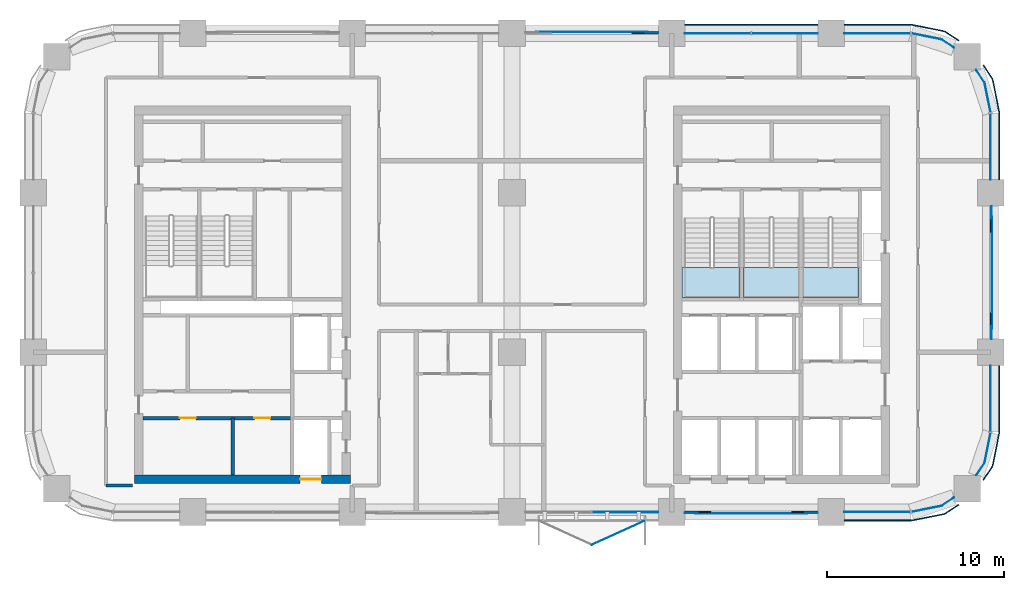
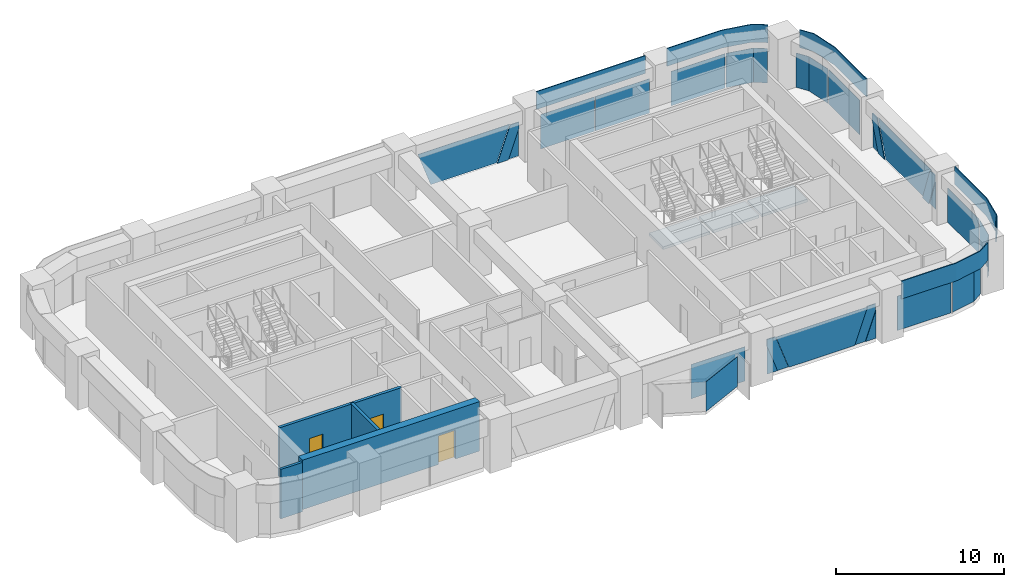
# One storey, part 8 of 14: 30 plates, 4 walls, 3 doors, 3 slabs, 3 openings, 12 elements without a shape of their own.
"""IFC4 building model written with IfcOpenShell, lengths in metres."""

from ifc_helpers import new_model, si_unit, direction, frame, frame_2d, origin, origin_2d, place, context, subcontext, project, spatial, polyline, rectangle, outline, extrude, material, layer, layer_set, type_object, element, fill, aggregate, save


model = new_model("IFC4")

# Units and contexts
model_context = context("Model", 3, precision=1e-05, world=origin(), true_north=direction((0.0, 1.0)))
body_context = subcontext(model_context, "Body", "Model", "MODEL_VIEW")
ifc_project = project(units=[si_unit("LENGTHUNIT", "METRE"), si_unit("AREAUNIT", "SQUARE_METRE"), si_unit("VOLUMEUNIT", "CUBIC_METRE"), si_unit("PLANEANGLEUNIT", "RADIAN"), si_unit("MASSUNIT", "GRAM", prefix="KILO")], contexts=[model_context])

# Site, building, storey
site_placement = place(None, origin())
site = spatial("IfcSite", under=ifc_project, at=site_placement, CompositionType="ELEMENT")
building_placement = place(site_placement, origin())
building = spatial("IfcBuilding", under=site, at=building_placement, Name="Tessera Arch", CompositionType="ELEMENT")
storey_placement = place(building_placement, frame((0.0, 0.0, 146.60009765625)))
storey = spatial("IfcBuildingStorey", under=building, at=storey_placement, Name="L34", CompositionType="ELEMENT", Elevation=146.60009765625)

# Curtain wall, plates
ifc_material_1 = material(Name="CW1 curtain wall")
curtain_wall_type_1 = type_object("IfcCurtainWallType", Name="CW1 curtain wall", PredefinedType="NOTDEFINED", material=ifc_material_1)
curtain_wall_1_placement = place(storey_placement, origin())
curtain_wall_1 = element("IfcCurtainWall", 1, at=curtain_wall_1_placement, inside=storey, type_object=curtain_wall_type_1, Name="CW1 curtain wall N54.0/1 L34", PredefinedType="NOTDEFINED")
ifc_material_2 = material(Name="Clear low-e glass", Category="glass")
ifc_material_3 = material(Name="Clear low-e glass", Category="glass")
ifc_layer_1 = layer(ifc_material_3, 0.028076171875)
ifc_layer_set_1 = layer_set([ifc_layer_1], Name="CW1 glass panel")
plate_type_1 = type_object("IfcPlateType", Name="CW1 glass panel", PredefinedType="CURTAIN_PANEL", material=ifc_layer_set_1)
plate_1_placement = place(storey_placement, frame((42.389892578125, 54.0, 0.0), z_axis=(0.0, 0.0, 1.0), x_axis=(-1.0, 0.0, 0.0)))
plate_1 = element("IfcPlate", 2, at=plate_1_placement, type_object=plate_type_1, material=ifc_material_2, Name="CW1 glass panel N54.0/1 1.1.1", PredefinedType="CURTAIN_PANEL", context=body_context, shape_type="SweptSolid", body=[
    extrude(rectangle(XDim=3.719970703125, YDim=0.028076171875, at=origin_2d()), origin(), (0.0, 0.0, 1.0), 2.5),
])
plate_2_placement = place(storey_placement, frame((38.610107421875, 54.0, 0.0), z_axis=(0.0, 0.0, 1.0), x_axis=(-1.0, 0.0, 0.0)))
plate_2 = element("IfcPlate", 3, at=plate_2_placement, type_object=plate_type_1, material=ifc_material_2, Name="CW1 glass panel N54.0/1 1.2.1", PredefinedType="CURTAIN_PANEL", context=body_context, shape_type="SweptSolid", body=[
    extrude(rectangle(XDim=3.719970703125, YDim=0.028076171875, at=origin_2d()), origin(), (0.0, 0.0, 1.0), 2.5),
])

# Curtain wall, plate
curtain_wall_2_placement = place(storey_placement, origin())
curtain_wall_2 = element("IfcCurtainWall", 4, at=curtain_wall_2_placement, inside=storey, type_object=curtain_wall_type_1, Name="CW1 curtain wall S27.0/3 L34", PredefinedType="NOTDEFINED")
plate_3_placement = place(storey_placement, frame((33.389892578125, 27.0, 0.0), z_axis=(0.0, 0.0, 1.0), x_axis=(1.0, 0.0, 0.0)))
plate_3 = element("IfcPlate", 5, at=plate_3_placement, type_object=plate_type_1, material=ifc_material_2, Name="CW1 glass panel S27.0/3 1.2.1", PredefinedType="CURTAIN_PANEL", context=body_context, shape_type="SweptSolid", body=[
    extrude(rectangle(XDim=3.719970703125, YDim=0.028076171875, at=origin_2d()), origin(), (0.0, 0.0, 1.0), 2.5),
])
aggregate(curtain_wall_2, [plate_3])

# Plate
ifc_material_4 = material(Name="Pale anodised aluminium panel", Category="aluminium")
ifc_layer_2 = layer(ifc_material_4, 0.06005859375)
ifc_layer_set_2 = layer_set([ifc_layer_2], Name="CW1 spandrel panel")
plate_type_2 = type_object("IfcPlateType", Name="CW1 spandrel panel", PredefinedType="CURTAIN_PANEL", material=ifc_layer_set_2)
plate_4_placement = place(storey_placement, frame((40.5, 54.47998046875, 2.60009765625), z_axis=(0.0, 0.0, 1.0), x_axis=(-1.0, 0.0, 0.0)))
plate_4 = element("IfcPlate", 6, at=plate_4_placement, type_object=plate_type_2, Name="CW1 spandrel panel N54.0/1", PredefinedType="CURTAIN_PANEL", context=body_context, shape_type="SweptSolid", body=[
    extrude(rectangle(XDim=7.5, YDim=0.06005859375, at=origin_2d()), origin(), (0.0, 0.0, 1.0), 1.300048828125),
])

aggregate(curtain_wall_1, [plate_1, plate_2, plate_4])

# Curtain wall, plates
ifc_material_5 = material(Name="CW2 curtain wall")
curtain_wall_type_2 = type_object("IfcCurtainWallType", Name="CW2 curtain wall", PredefinedType="NOTDEFINED", material=ifc_material_5)
curtain_wall_3_placement = place(storey_placement, origin())
curtain_wall_3 = element("IfcCurtainWall", 7, at=curtain_wall_3_placement, inside=storey, type_object=curtain_wall_type_2, Name="CW2 curtain wall E54.27/1 L34", PredefinedType="NOTDEFINED")
ifc_material_6 = material(Name="Clear low-e glass", Category="glass")
ifc_layer_3 = layer(ifc_material_6, 0.028076171875)
ifc_layer_set_3 = layer_set([ifc_layer_3], Name="CW2 glass panel")
plate_type_3 = type_object("IfcPlateType", Name="CW2 glass panel", PredefinedType="CURTAIN_PANEL", material=ifc_layer_set_3)
plate_5_placement = place(storey_placement, frame((54.0, 47.60498046875, 0.0), z_axis=(0.0, 0.0, 1.0), x_axis=(0.0, 1.0, 0.0)))
plate_5 = element("IfcPlate", 8, at=plate_5_placement, type_object=plate_type_3, material=ifc_material_2, Name="CW2 glass panel E54.27/1 1.1", PredefinedType="CURTAIN_PANEL", context=body_context, shape_type="SweptSolid", body=[
    extrude(rectangle(XDim=3.7099609375, YDim=0.028076171875, at=origin_2d()), origin(), (0.0, 0.0, 1.0), 2.5),
])
plate_6_placement = place(storey_placement, origin())
plate_6 = element("IfcPlate", 9, at=plate_6_placement, type_object=plate_type_3, material=ifc_material_2, Name="CW2 curved glass panel E54.27/1 2.1", PredefinedType="CURTAIN_PANEL", context=body_context, shape_type="SweptSolid", body=[
    extrude(outline(polyline([(53.644287109375, 51.216552734375), (53.978515625, 49.53662109375), (54.005859375, 49.5419921875), (53.670654296875, 51.2275390625), (53.19482421875, 51.939697265625), (53.17138671875, 51.92431640625), (53.644287109375, 51.216552734375)])), origin(), (0.0, 0.0, 1.0), 2.5),
])

curtain_wall_4_placement = place(storey_placement, origin())
curtain_wall_4 = element("IfcCurtainWall", 10, at=curtain_wall_4_placement, inside=storey, type_object=curtain_wall_type_2, Name="CW2 curtain wall N54.0/0 L34", PredefinedType="NOTDEFINED")
plate_7_placement = place(storey_placement, frame((47.60498046875, 54.0, 0.0), z_axis=(0.0, 0.0, 1.0), x_axis=(-1.0, 0.0, 0.0)))
plate_7 = element("IfcPlate", 11, at=plate_7_placement, type_object=plate_type_3, material=ifc_material_2, Name="CW2 glass panel N54.0/0 1.1", PredefinedType="CURTAIN_PANEL", context=body_context, shape_type="SweptSolid", body=[
    extrude(rectangle(XDim=3.7099609375, YDim=0.028076171875, at=origin_2d()), origin(), (0.0, 0.0, 1.0), 2.5),
])
plate_8_placement = place(storey_placement, origin())
plate_8 = element("IfcPlate", 12, at=plate_8_placement, type_object=plate_type_3, material=ifc_material_2, Name="CW2 curved glass panel N54.0/0 2.1", PredefinedType="CURTAIN_PANEL", context=body_context, shape_type="SweptSolid", body=[
    extrude(outline(polyline([(51.216552734375, 53.644287109375), (51.92431640625, 53.17138671875), (51.939697265625, 53.19482421875), (51.2275390625, 53.670654296875), (49.5419921875, 54.005859375), (49.53662109375, 53.978515625), (51.216552734375, 53.644287109375)])), origin(), (0.0, 0.0, 1.0), 2.5),
])

curtain_wall_5_placement = place(storey_placement, origin())
curtain_wall_5 = element("IfcCurtainWall", 13, at=curtain_wall_5_placement, inside=storey, type_object=curtain_wall_type_2, Name="CW2 curtain wall S27.0/5 L34", PredefinedType="NOTDEFINED")
plate_9_placement = place(storey_placement, frame((47.60498046875, 27.0, 0.0), z_axis=(0.0, 0.0, 1.0), x_axis=(1.0, 0.0, 0.0)))
plate_9 = element("IfcPlate", 14, at=plate_9_placement, type_object=plate_type_3, material=ifc_material_2, Name="CW2 glass panel S27.0/5 1.1", PredefinedType="CURTAIN_PANEL", context=body_context, shape_type="SweptSolid", body=[
    extrude(rectangle(XDim=3.7099609375, YDim=0.028076171875, at=origin_2d()), origin(), (0.0, 0.0, 1.0), 2.5),
])
plate_10_placement = place(storey_placement, origin())
plate_10 = element("IfcPlate", 15, at=plate_10_placement, type_object=plate_type_3, material=ifc_material_2, Name="CW2 curved glass panel S27.0/5 2.1", PredefinedType="CURTAIN_PANEL", context=body_context, shape_type="SweptSolid", body=[
    extrude(outline(polyline([(51.216552734375, 27.355712890625), (49.53662109375, 27.021484375), (49.5419921875, 26.994140625), (51.2275390625, 27.329345703125), (51.939697265625, 27.80517578125), (51.92431640625, 27.82861328125), (51.216552734375, 27.355712890625)])), origin(), (0.0, 0.0, 1.0), 2.5),
])

curtain_wall_6_placement = place(storey_placement, origin())
curtain_wall_6 = element("IfcCurtainWall", 16, at=curtain_wall_6_placement, inside=storey, type_object=curtain_wall_type_2, Name="CW2 curtain wall E54.27/2 L34", PredefinedType="NOTDEFINED")
plate_11_placement = place(storey_placement, frame((54.0, 33.39501953125, 0.0), z_axis=(0.0, 0.0, 1.0), x_axis=(0.0, 1.0, 0.0)))
plate_11 = element("IfcPlate", 17, at=plate_11_placement, type_object=plate_type_3, material=ifc_material_2, Name="CW2 glass panel E54.27/2 1.1", PredefinedType="CURTAIN_PANEL", context=body_context, shape_type="SweptSolid", body=[
    extrude(rectangle(XDim=3.7099609375, YDim=0.028076171875, at=origin_2d()), origin(), (0.0, 0.0, 1.0), 2.5),
])
plate_12_placement = place(storey_placement, origin())
plate_12 = element("IfcPlate", 18, at=plate_12_placement, type_object=plate_type_3, material=ifc_material_2, Name="CW2 curved glass panel E54.27/2 2.1", PredefinedType="CURTAIN_PANEL", context=body_context, shape_type="SweptSolid", body=[
    extrude(outline(polyline([(53.644287109375, 29.783447265625), (53.17138671875, 29.07568359375), (53.19482421875, 29.060302734375), (53.670654296875, 29.7724609375), (54.005859375, 31.4580078125), (53.978515625, 31.46337890625), (53.644287109375, 29.783447265625)])), origin(), (0.0, 0.0, 1.0), 2.5),
])

# Plate
ifc_material_7 = material(Name="Pale anodised aluminium panel", Category="aluminium")
ifc_layer_4 = layer(ifc_material_7, 0.06005859375)
ifc_layer_set_4 = layer_set([ifc_layer_4], Name="CW2 spandrel panel")
plate_type_4 = type_object("IfcPlateType", Name="CW2 spandrel panel", PredefinedType="CURTAIN_PANEL", material=ifc_layer_set_4)
plate_13_placement = place(storey_placement, frame((0.0, 0.0, 2.599853515625)))
plate_13 = element("IfcPlate", 19, at=plate_13_placement, type_object=plate_type_4, Name="CW2 spandrel panel E54.27/1", PredefinedType="CURTAIN_PANEL", context=body_context, shape_type="SweptSolid", body=[
    extrude(outline(polyline([(54.449951171875, 49.499267578125), (54.449951171875, 45.75), (54.510009765625, 45.75), (54.510009765625, 49.500732421875), (54.507568359375, 49.550048828125), (54.500244140625, 49.598876953125), (54.157470703125, 51.322265625), (54.1455078125, 51.3701171875), (54.128662109375, 51.417236328125), (54.107421875, 51.462646484375), (54.08203125, 51.5048828125), (53.607177734375, 52.21533203125), (53.55712890625, 52.18212890625), (54.03125, 51.47265625), (54.054443359375, 51.434326171875), (54.0732421875, 51.394287109375), (54.088134765625, 51.352783203125), (54.09912109375, 51.30908203125), (54.441162109375, 49.588623046875), (54.44775390625, 49.544189453125), (54.449951171875, 49.499267578125)])), origin(), (0.0, 0.0, 1.0), 1.300048828125),
])

aggregate(curtain_wall_3, [plate_5, plate_6, plate_13])

plate_14_placement = place(storey_placement, frame((0.0, 0.0, 2.599853515625)))
plate_14 = element("IfcPlate", 20, at=plate_14_placement, type_object=plate_type_4, Name="CW2 spandrel panel N54.0/0", PredefinedType="CURTAIN_PANEL", context=body_context, shape_type="SweptSolid", body=[
    extrude(outline(polyline([(51.47265625, 54.03125), (52.18212890625, 53.55712890625), (52.21533203125, 53.607177734375), (51.5048828125, 54.08203125), (51.462646484375, 54.107421875), (51.417236328125, 54.128662109375), (51.3701171875, 54.1455078125), (51.322265625, 54.157470703125), (49.598876953125, 54.500244140625), (49.550048828125, 54.507568359375), (49.500732421875, 54.510009765625), (45.75, 54.510009765625), (45.75, 54.449951171875), (49.499267578125, 54.449951171875), (49.544189453125, 54.44775390625), (49.588623046875, 54.441162109375), (51.30908203125, 54.09912109375), (51.352783203125, 54.088134765625), (51.394287109375, 54.0732421875), (51.434326171875, 54.054443359375), (51.47265625, 54.03125)])), origin(), (0.0, 0.0, 1.0), 1.300048828125),
])

aggregate(curtain_wall_4, [plate_7, plate_8, plate_14])

plate_15_placement = place(storey_placement, frame((0.0, 0.0, 2.599853515625)))
plate_15 = element("IfcPlate", 21, at=plate_15_placement, type_object=plate_type_4, Name="CW2 spandrel panel S27.0/5", PredefinedType="CURTAIN_PANEL", context=body_context, shape_type="SweptSolid", body=[
    extrude(outline(polyline([(49.499267578125, 26.550048828125), (45.75, 26.550048828125), (45.75, 26.489990234375), (49.500732421875, 26.489990234375), (49.550048828125, 26.492431640625), (49.598876953125, 26.499755859375), (51.322265625, 26.842529296875), (51.3701171875, 26.8544921875), (51.417236328125, 26.871337890625), (51.462646484375, 26.892578125), (51.5048828125, 26.91796875), (52.21533203125, 27.392822265625), (52.18212890625, 27.44287109375), (51.47265625, 26.96875), (51.434326171875, 26.945556640625), (51.394287109375, 26.9267578125), (51.352783203125, 26.911865234375), (51.30908203125, 26.90087890625), (49.588623046875, 26.558837890625), (49.544189453125, 26.55224609375), (49.499267578125, 26.550048828125)])), origin(), (0.0, 0.0, 1.0), 1.300048828125),
])

aggregate(curtain_wall_5, [plate_9, plate_10, plate_15])

plate_16_placement = place(storey_placement, frame((0.0, 0.0, 2.599853515625)))
plate_16 = element("IfcPlate", 22, at=plate_16_placement, type_object=plate_type_4, Name="CW2 spandrel panel E54.27/2", PredefinedType="CURTAIN_PANEL", context=body_context, shape_type="SweptSolid", body=[
    extrude(outline(polyline([(54.03125, 29.52734375), (53.55712890625, 28.81787109375), (53.607177734375, 28.78466796875), (54.08203125, 29.4951171875), (54.107421875, 29.537353515625), (54.128662109375, 29.582763671875), (54.1455078125, 29.6298828125), (54.157470703125, 29.677734375), (54.500244140625, 31.401123046875), (54.507568359375, 31.449951171875), (54.510009765625, 31.499267578125), (54.510009765625, 35.25), (54.449951171875, 35.25), (54.449951171875, 31.500732421875), (54.44775390625, 31.455810546875), (54.441162109375, 31.411376953125), (54.09912109375, 29.69091796875), (54.088134765625, 29.647216796875), (54.0732421875, 29.605712890625), (54.054443359375, 29.565673828125), (54.03125, 29.52734375)])), origin(), (0.0, 0.0, 1.0), 1.300048828125),
])

aggregate(curtain_wall_6, [plate_11, plate_12, plate_16])

# Curtain wall, plates
ifc_material_8 = material(Name="CW3 curtain wall")
curtain_wall_type_3 = type_object("IfcCurtainWallType", Name="CW3 curtain wall", PredefinedType="NOTDEFINED", material=ifc_material_8)
curtain_wall_7_placement = place(storey_placement, origin())
curtain_wall_7 = element("IfcCurtainWall", 23, at=curtain_wall_7_placement, inside=storey, type_object=curtain_wall_type_3, Name="CW3 curtain wall E54.27/0 L34", PredefinedType="NOTDEFINED")
ifc_material_9 = material(Name="Pale anodised aluminium panel", Category="aluminium")
ifc_layer_5 = layer(ifc_material_9, 0.06005859375)
ifc_layer_set_5 = layer_set([ifc_layer_5], Name="CW3 diagonal panel")
plate_type_5 = type_object("IfcPlateType", Name="CW3 diagonal panel", PredefinedType="CURTAIN_PANEL", material=ifc_layer_set_5)
plate_17_placement = place(storey_placement, frame((54.030029296875, 44.25, 2.5), z_axis=(1.0, 0.0, 0.0), x_axis=(0.0, -1.0, 0.0)))
plate_17 = element("IfcPlate", 24, at=plate_17_placement, type_object=plate_type_5, Name="CW3 diagonal panel E54.27/0 1", PredefinedType="CURTAIN_PANEL", context=body_context, shape_type="SweptSolid", body=[
    extrude(outline(polyline([(0.0, 0.0), (0.595947265625, 0.0), (1.484619140625, 2.5), (0.718994140625, 2.5), (0.0, 0.47705078125), (0.0, 0.0)])), origin(), (0.0, 0.0, -1.0), 0.06005859375),
])
plate_18_placement = place(storey_placement, frame((54.030029296875, 36.75, 2.5), z_axis=(1.0, 0.0, 0.0), x_axis=(0.0, 0.0, -1.0)))
plate_18 = element("IfcPlate", 25, at=plate_18_placement, type_object=plate_type_5, Name="CW3 diagonal panel E54.27/0 2", PredefinedType="CURTAIN_PANEL", context=body_context, shape_type="SweptSolid", body=[
    extrude(outline(polyline([(0.0, 0.0), (0.47705078125, 0.0), (2.5, 0.718994140625), (2.5, 1.484619140625), (0.0, 0.595947265625), (0.0, 0.0)])), origin(), (0.0, 0.0, -1.0), 0.06005859375),
])

# Curtain wall, plate
curtain_wall_8_placement = place(storey_placement, origin())
curtain_wall_8 = element("IfcCurtainWall", 26, at=curtain_wall_8_placement, inside=storey, type_object=curtain_wall_type_3, Name="CW3 curtain wall N54.0/2 L34", PredefinedType="NOTDEFINED")
plate_19_placement = place(storey_placement, frame((35.25, 54.030029296875, 2.5), z_axis=(0.0, 1.0, 0.0), x_axis=(0.0, 0.0, -1.0)))
plate_19 = element("IfcPlate", 27, at=plate_19_placement, type_object=plate_type_5, Name="CW3 diagonal panel N54.0/2 2", PredefinedType="CURTAIN_PANEL", context=body_context, shape_type="SweptSolid", body=[
    extrude(outline(polyline([(0.0, 0.0), (0.47705078125, 0.0), (2.5, 0.718994140625), (2.5, 1.484619140625), (0.0, 0.595947265625), (0.0, 0.0)])), origin(), (0.0, 0.0, -1.0), 0.06005859375),
])

# Curtain wall, plates
curtain_wall_9_placement = place(storey_placement, origin())
curtain_wall_9 = element("IfcCurtainWall", 28, at=curtain_wall_9_placement, inside=storey, type_object=curtain_wall_type_3, Name="CW3 curtain wall S27.0/4 L34", PredefinedType="NOTDEFINED")
plate_20_placement = place(storey_placement, frame((44.25, 26.969970703125, 2.5), z_axis=(0.0, -1.0, 0.0), x_axis=(-1.0, 0.0, 0.0)))
plate_20 = element("IfcPlate", 29, at=plate_20_placement, type_object=plate_type_5, Name="CW3 diagonal panel S27.0/4 1", PredefinedType="CURTAIN_PANEL", context=body_context, shape_type="SweptSolid", body=[
    extrude(outline(polyline([(0.0, 0.0), (0.595947265625, 0.0), (1.484619140625, 2.5), (0.718994140625, 2.5), (0.0, 0.47705078125), (0.0, 0.0)])), origin(), (0.0, 0.0, -1.0), 0.06005859375),
])
plate_21_placement = place(storey_placement, frame((36.75, 26.969970703125, 2.5), z_axis=(0.0, -1.0, 0.0), x_axis=(0.0, 0.0, -1.0)))
plate_21 = element("IfcPlate", 30, at=plate_21_placement, type_object=plate_type_5, Name="CW3 diagonal panel S27.0/4 2", PredefinedType="CURTAIN_PANEL", context=body_context, shape_type="SweptSolid", body=[
    extrude(outline(polyline([(0.0, 0.0), (0.47705078125, 0.0), (2.5, 0.718994140625), (2.5, 1.484619140625), (0.0, 0.595947265625), (0.0, 0.0)])), origin(), (0.0, 0.0, -1.0), 0.06005859375),
])

# Plate
ifc_material_10 = material(Name="Clear low-e glass", Category="glass")
ifc_layer_6 = layer(ifc_material_10, 0.028076171875)
ifc_layer_set_6 = layer_set([ifc_layer_6], Name="CW3 glass panel")
plate_type_6 = type_object("IfcPlateType", Name="CW3 glass panel", PredefinedType="CURTAIN_PANEL", material=ifc_layer_set_6)
plate_22_placement = place(storey_placement, frame((54.05810546875, 36.75, 0.0), z_axis=(1.0, 0.0, 0.0), x_axis=(0.0, 1.0, 0.0)))
plate_22 = element("IfcPlate", 31, at=plate_22_placement, type_object=plate_type_6, material=ifc_material_2, Name="CW3 triangulated glass panel E54.27/0 1", PredefinedType="CURTAIN_PANEL", context=body_context, shape_type="SweptSolid", body=[
    extrude(outline(polyline([(0.0, 0.0), (0.718994140625, 0.0), (0.0, 2.02294921875), (0.0, 0.0)])), origin(), (0.0, 0.0, -1.0), 0.028076171875),
])

plate_23_placement = place(storey_placement, frame((54.0859375, 43.654052734375, 2.5), z_axis=(1.0, 0.0, 0.0), x_axis=(0.0, -1.0, 0.0)))
plate_23 = element("IfcPlate", 32, at=plate_23_placement, type_object=plate_type_6, material=ifc_material_2, Name="CW3 triangulated glass panel E54.27/0 2", PredefinedType="CURTAIN_PANEL", context=body_context, shape_type="SweptSolid", body=[
    extrude(outline(polyline([(0.0, 0.0), (6.30810546875, 0.0), (5.41943359375, 2.5), (0.888671875, 2.5), (0.0, 0.0)])), origin(), (0.0, 0.0, -1.0), 0.028076171875),
])

plate_24_placement = place(storey_placement, frame((54.05810546875, 44.25, 0.0), z_axis=(1.0, 0.0, 0.0), x_axis=(0.0, 0.0, 1.0)))
plate_24 = element("IfcPlate", 33, at=plate_24_placement, type_object=plate_type_6, material=ifc_material_2, Name="CW3 triangulated glass panel E54.27/0 3", PredefinedType="CURTAIN_PANEL", context=body_context, shape_type="SweptSolid", body=[
    extrude(outline(polyline([(0.0, 0.0), (2.02294921875, 0.0), (0.0, 0.718994140625), (0.0, 0.0)])), origin(), (0.0, 0.0, -1.0), 0.028076171875),
])

aggregate(curtain_wall_7, [plate_22, plate_23, plate_24, plate_17, plate_18])

plate_25_placement = place(storey_placement, frame((35.25, 54.05810546875, 0.0), z_axis=(0.0, 1.0, 0.0), x_axis=(-1.0, 0.0, 0.0)))
plate_25 = element("IfcPlate", 34, at=plate_25_placement, type_object=plate_type_6, material=ifc_material_2, Name="CW3 triangulated glass panel N54.0/2 1", PredefinedType="CURTAIN_PANEL", context=body_context, shape_type="SweptSolid", body=[
    extrude(outline(polyline([(0.0, 0.0), (0.718994140625, 0.0), (0.0, 2.02294921875), (0.0, 0.0)])), origin(), (0.0, 0.0, -1.0), 0.028076171875),
])

plate_26_placement = place(storey_placement, frame((28.345947265625, 54.0859375, 2.5), z_axis=(0.0, 1.0, 0.0), x_axis=(1.0, 0.0, 0.0)))
plate_26 = element("IfcPlate", 35, at=plate_26_placement, type_object=plate_type_6, material=ifc_material_2, Name="CW3 triangulated glass panel N54.0/2 2", PredefinedType="CURTAIN_PANEL", context=body_context, shape_type="SweptSolid", body=[
    extrude(outline(polyline([(0.0, 0.0), (6.30810546875, 0.0), (5.41943359375, 2.5), (0.888671875, 2.5), (0.0, 0.0)])), origin(), (0.0, 0.0, -1.0), 0.028076171875),
])

aggregate(curtain_wall_8, [plate_25, plate_26, plate_19])

plate_27_placement = place(storey_placement, frame((36.75, 26.94189453125, 0.0), z_axis=(0.0, -1.0, 0.0), x_axis=(1.0, 0.0, 0.0)))
plate_27 = element("IfcPlate", 36, at=plate_27_placement, type_object=plate_type_6, material=ifc_material_2, Name="CW3 triangulated glass panel S27.0/4 1", PredefinedType="CURTAIN_PANEL", context=body_context, shape_type="SweptSolid", body=[
    extrude(outline(polyline([(0.0, 0.0), (0.718994140625, 0.0), (0.0, 2.02294921875), (0.0, 0.0)])), origin(), (0.0, 0.0, -1.0), 0.028076171875),
])

plate_28_placement = place(storey_placement, frame((43.654052734375, 26.9140625, 2.5), z_axis=(0.0, -1.0, 0.0), x_axis=(-1.0, 0.0, 0.0)))
plate_28 = element("IfcPlate", 37, at=plate_28_placement, type_object=plate_type_6, material=ifc_material_2, Name="CW3 triangulated glass panel S27.0/4 2", PredefinedType="CURTAIN_PANEL", context=body_context, shape_type="SweptSolid", body=[
    extrude(outline(polyline([(0.0, 0.0), (6.30810546875, 0.0), (5.41943359375, 2.5), (0.888671875, 2.5), (0.0, 0.0)])), origin(), (0.0, 0.0, -1.0), 0.028076171875),
])

plate_29_placement = place(storey_placement, frame((44.25, 26.94189453125, 0.0), z_axis=(0.0, -1.0, 0.0), x_axis=(0.0, 0.0, 1.0)))
plate_29 = element("IfcPlate", 38, at=plate_29_placement, type_object=plate_type_6, material=ifc_material_2, Name="CW3 triangulated glass panel S27.0/4 3", PredefinedType="CURTAIN_PANEL", context=body_context, shape_type="SweptSolid", body=[
    extrude(outline(polyline([(0.0, 0.0), (2.02294921875, 0.0), (0.0, 0.718994140625), (0.0, 0.0)])), origin(), (0.0, 0.0, -1.0), 0.028076171875),
])

aggregate(curtain_wall_9, [plate_27, plate_28, plate_29, plate_20, plate_21])

# Stair, slab
ifc_material_11 = material(Name="Concrete C40/50", Category="concrete")
stair_type = type_object("IfcStairType", Name="Dogleg stair 1520", PredefinedType="HALF_TURN_STAIR", material=ifc_material_11)
stair_1_placement = place(storey_placement, origin())
stair_1 = element("IfcStair", 39, at=stair_1_placement, inside=storey, type_object=stair_type, Name="L34 S1a", PredefinedType="HALF_TURN_STAIR")
ifc_material_12 = material(Name="Concrete C40/50", Category="concrete")
ifc_layer_7 = layer(ifc_material_12, 0.300048828125)
ifc_layer_set_7 = layer_set([ifc_layer_7], Name="Stair landing 300")
slab_type = type_object("IfcSlabType", Name="Stair landing 300", PredefinedType="LANDING", material=ifc_layer_set_7)
slab_1_placement = place(storey_placement, frame((0.0, 0.0, 1.75)))
slab_1 = element("IfcSlab", 40, at=slab_1_placement, type_object=slab_type, Name="S1a landing 1", PredefinedType="LANDING", context=body_context, shape_type="SweptSolid", body=[
    extrude(outline(polyline([(36.60009765625, 40.780029296875), (36.60009765625, 39.10009765625), (39.85009765625, 39.10009765625), (39.85009765625, 40.780029296875), (36.60009765625, 40.780029296875)])), origin(), (0.0, 0.0, 1.0), 0.199951171875),
])
aggregate(stair_1, [slab_1])

stair_2_placement = place(storey_placement, origin())
stair_2 = element("IfcStair", 41, at=stair_2_placement, inside=storey, type_object=stair_type, Name="L34 S1b", PredefinedType="HALF_TURN_STAIR")
slab_2_placement = place(storey_placement, frame((0.0, 0.0, 1.75)))
slab_2 = element("IfcSlab", 42, at=slab_2_placement, type_object=slab_type, Name="S1b landing 1", PredefinedType="LANDING", context=body_context, shape_type="SweptSolid", body=[
    extrude(outline(polyline([(40.050048828125, 40.780029296875), (40.050048828125, 39.10009765625), (43.199951171875, 39.10009765625), (43.199951171875, 40.780029296875), (40.050048828125, 40.780029296875)])), origin(), (0.0, 0.0, 1.0), 0.199951171875),
])
aggregate(stair_2, [slab_2])

stair_3_placement = place(storey_placement, origin())
stair_3 = element("IfcStair", 43, at=stair_3_placement, inside=storey, type_object=stair_type, Name="L34 S1c", PredefinedType="HALF_TURN_STAIR")
slab_3_placement = place(storey_placement, frame((0.0, 0.0, 1.75)))
slab_3 = element("IfcSlab", 44, at=slab_3_placement, type_object=slab_type, Name="S1c landing 1", PredefinedType="LANDING", context=body_context, shape_type="SweptSolid", body=[
    extrude(outline(polyline([(43.39990234375, 40.780029296875), (43.39990234375, 39.10009765625), (46.550048828125, 39.10009765625), (46.550048828125, 40.780029296875), (43.39990234375, 40.780029296875)])), origin(), (0.0, 0.0, 1.0), 0.199951171875),
])
aggregate(stair_3, [slab_3])

# Plate
ifc_material_13 = material(Name="Clear low-e glass", Category="glass")
ifc_layer_8 = layer(ifc_material_13, 0.028076171875)
ifc_layer_set_8 = layer_set([ifc_layer_8], Name="Window box glass facet")
plate_type_7 = type_object("IfcPlateType", Name="Window box glass facet", PredefinedType="SHEET", material=ifc_layer_set_8)
plate_30_placement = place(storey_placement, frame((32.97509765625, 25.820068359375, 0.2197265625), z_axis=(0.0, 0.0, 1.0), x_axis=(-0.910472144558, -0.413570397858, 0.0)))
element("IfcPlate", 45, at=plate_30_placement, inside=storey, type_object=plate_type_7, Name="Window box S27.0/3.0 2x1 glass", PredefinedType="SHEET", context=body_context, shape_type="SweptSolid", body=[
    extrude(rectangle(XDim=3.239990234375, YDim=0.028076171875, at=origin_2d()), origin(), (0.0, 0.0, 1.0), 2.159912109375),
])

# Wall
ifc_material_14 = material(Name="Gypsum board on steel stud", Category="steel")
ifc_layer_9 = layer(ifc_material_14, 0.125)
ifc_layer_set_9 = layer_set([ifc_layer_9], Name="Core partition 125 EI 60")
wall_type_1 = type_object("IfcWallType", Name="Core partition 125 EI 60", PredefinedType="PARTITIONING", material=ifc_layer_set_9)
wall_1_placement = place(storey_placement, frame((11.239990234375, 29.10009765625, 0.0), z_axis=(0.0, 0.0, 1.0), x_axis=(0.0, 1.0, 0.0)))
element("IfcWall", 46, at=wall_1_placement, inside=storey, type_object=wall_type_1, Name="L34 C2 partition wall 5", PredefinedType="PARTITIONING", context=body_context, shape_type="SweptSolid", body=[
    extrude(rectangle(XDim=3.199951171875, YDim=0.199951171875, at=frame_2d((1.60009765625, 0.0))), origin(), (0.0, 0.0, 1.0), 3.599853515625),
])

# Wall, openings, doors
wall_2_placement = place(storey_placement, frame((6.199951171875, 32.300048828125, 0.0), z_axis=(0.0, 0.0, 1.0), x_axis=(1.0, 0.0, 0.0)))
wall_2 = element("IfcWall", 47, at=wall_2_placement, inside=storey, type_object=wall_type_1, Name="L34 C2 partition wall 14", PredefinedType="PARTITIONING", context=body_context, shape_type="SweptSolid", body=[
    extrude(rectangle(XDim=8.400146484375, YDim=0.199951171875, at=frame_2d((4.2001953125, 0.0))), origin(), (0.0, 0.0, 1.0), 3.599853515625),
])
opening_1_placement = place(wall_2_placement, frame((2.070068359375, 0.0, 0.0)))
opening_1 = element("IfcOpeningElement", 48, at=opening_1_placement, cuts=wall_2, Name="Opening L34-C33", PredefinedType="OPENING", context=body_context, shape_type="SweptSolid", body=[
    extrude(rectangle(XDim=0.89990234375, YDim=2.10009765625, at=frame_2d((0.449951171875, 1.050048828125))), frame((0.0, 0.10986328125, 0.0), z_axis=(0.0, -1.0, 0.0), x_axis=(1.0, 0.0, 0.0)), (0.0, 0.0, 1.0), 0.219970703125),
])
opening_2_placement = place(wall_2_placement, frame((6.27001953125, 0.0, 0.0)))
opening_2 = element("IfcOpeningElement", 49, at=opening_2_placement, cuts=wall_2, Name="Opening L34-C34", PredefinedType="OPENING", context=body_context, shape_type="SweptSolid", body=[
    extrude(rectangle(XDim=0.89990234375, YDim=2.10009765625, at=frame_2d((0.449951171875, 1.050048828125))), frame((0.0, 0.10986328125, 0.0), z_axis=(0.0, -1.0, 0.0), x_axis=(1.0, 0.0, 0.0)), (0.0, 0.0, 1.0), 0.219970703125),
])
ifc_material_15 = material(Name="Steel door leaf", Category="steel")
door_type_1 = type_object("IfcDoorType", Name="Store door FD30S 900 x 2100", OperationType="SINGLE_SWING_LEFT", PredefinedType="DOOR", material=ifc_material_15)
door_1_placement = place(opening_1_placement, origin())
door_1 = element("IfcDoor", 50, at=door_1_placement, inside=storey, type_object=door_type_1, Name="L34 C2 door 14 C33 type D09", OperationType="SINGLE_SWING_LEFT", OverallHeight=2.10009765625, OverallWidth=0.89990234375, PredefinedType="DOOR", context=body_context, shape_type="SweptSolid", body=[
    extrude(rectangle(XDim=0.89990234375, YDim=2.10009765625, at=frame_2d((0.449951171875, 1.050048828125))), frame((0.0, 0.02490234375, 0.0), z_axis=(0.0, -1.0, 0.0), x_axis=(1.0, 0.0, 0.0)), (0.0, 0.0, 1.0), 0.050048828125),
])
fill(opening_1, door_1)
door_2_placement = place(opening_2_placement, origin())
door_2 = element("IfcDoor", 51, at=door_2_placement, inside=storey, type_object=door_type_1, Name="L34 C2 door 15 C34 type D09", OperationType="SINGLE_SWING_RIGHT", OverallHeight=2.10009765625, OverallWidth=0.89990234375, PredefinedType="DOOR", context=body_context, shape_type="SweptSolid", body=[
    extrude(rectangle(XDim=0.89990234375, YDim=2.10009765625, at=frame_2d((0.449951171875, 1.050048828125))), frame((0.0, 0.02490234375, 0.0), z_axis=(0.0, -1.0, 0.0), x_axis=(1.0, 0.0, 0.0)), (0.0, 0.0, 1.0), 0.050048828125),
])
fill(opening_2, door_2)

# Wall, opening, door
ifc_material_16 = material(Name="Concrete C60/75", Category="concrete")
ifc_layer_10 = layer(ifc_material_16, 0.5)
ifc_layer_set_10 = layer_set([ifc_layer_10], Name="Core shell wall 500 C60-75")
wall_type_2 = type_object("IfcWallType", Name="Core shell wall 500 C60-75", PredefinedType="SHEAR", material=ifc_layer_set_10)
wall_3_placement = place(storey_placement, frame((5.699951171875, 28.85009765625, 0.0), z_axis=(0.0, 0.0, 1.0), x_axis=(1.0, 0.0, 0.0)))
wall_3 = element("IfcWall", 52, at=wall_3_placement, inside=storey, type_object=wall_type_2, Name="L34 C2 core wall S", PredefinedType="SHEAR", context=body_context, shape_type="SweptSolid", body=[
    extrude(rectangle(XDim=12.199951171875, YDim=0.5, at=frame_2d((6.10009765625, 0.0))), origin(), (0.0, 0.0, 1.0), 3.599853515625),
])
opening_3_placement = place(wall_3_placement, frame((9.35009765625, 0.0, 0.0)))
opening_3 = element("IfcOpeningElement", 53, at=opening_3_placement, cuts=wall_3, Name="Opening L34-C20", PredefinedType="OPENING", context=body_context, shape_type="SweptSolid", body=[
    extrude(rectangle(XDim=1.199951171875, YDim=2.10009765625, at=frame_2d((0.60009765625, 1.050048828125))), frame((0.0, 0.260009765625, 0.0), z_axis=(0.0, -1.0, 0.0), x_axis=(1.0, 0.0, 0.0)), (0.0, 0.0, 1.0), 0.52001953125),
])
ifc_material_17 = material(Name="Stainless steel AISI 304", Category="steel")
door_type_2 = type_object("IfcDoorType", Name="Sliding landing door 1200 x 2100", OperationType="SLIDING_TO_LEFT", PredefinedType="DOOR", material=ifc_material_17)
door_3_placement = place(opening_3_placement, origin())
door_3 = element("IfcDoor", 54, at=door_3_placement, inside=storey, type_object=door_type_2, Name="L34 HR7 lift landing door C20 type LD", OperationType="SLIDING_TO_LEFT", OverallHeight=2.10009765625, OverallWidth=1.199951171875, PredefinedType="DOOR", context=body_context, shape_type="SweptSolid", body=[
    extrude(rectangle(XDim=1.199951171875, YDim=2.10009765625, at=frame_2d((0.60009765625, 1.050048828125))), frame((0.0, 0.02490234375, 0.0), z_axis=(0.0, -1.0, 0.0), x_axis=(1.0, 0.0, 0.0)), (0.0, 0.0, 1.0), 0.050048828125),
])
fill(opening_3, door_3)

# Wall
ifc_material_18 = material(Name="Gypsum board on deep steel stud with mineral wool", Category="steel")
ifc_layer_11 = layer(ifc_material_18, 0.175048828125)
ifc_layer_set_11 = layer_set([ifc_layer_11], Name="Corridor wall 175 EI 60")
wall_type_3 = type_object("IfcWallType", Name="Corridor wall 175 EI 60", PredefinedType="PARTITIONING", material=ifc_layer_set_11)
wall_4_placement = place(storey_placement, frame((4.10009765625, 28.5, 0.0), z_axis=(0.0, 0.0, 1.0), x_axis=(1.0, 0.0, 0.0)))
element("IfcWall", 55, at=wall_4_placement, inside=storey, type_object=wall_type_3, Name="L34 partition 1", PredefinedType="PARTITIONING", context=body_context, shape_type="SweptSolid", body=[
    extrude(rectangle(XDim=1.5, YDim=0.175048828125, at=frame_2d((0.75, 0.0))), origin(), (0.0, 0.0, 1.0), 3.599853515625),
])

save(model, "model.ifc")
